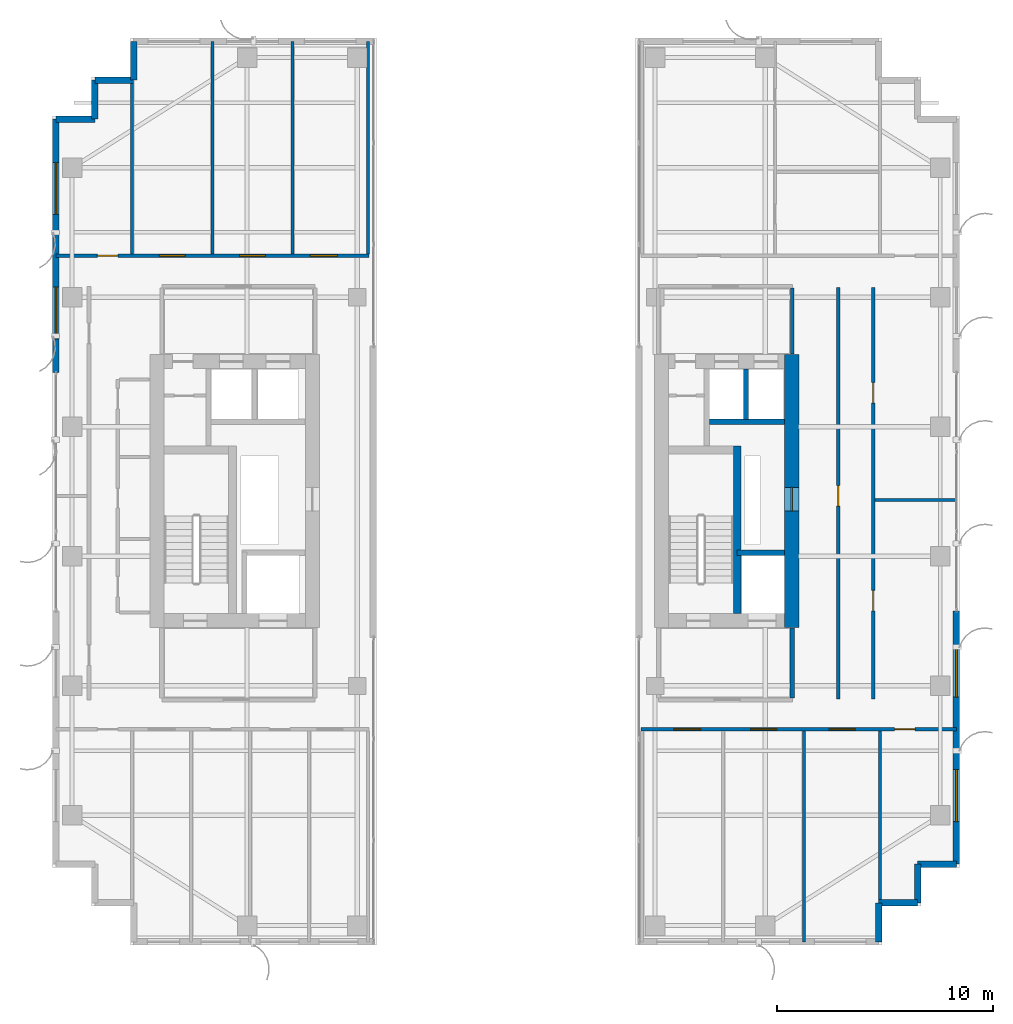
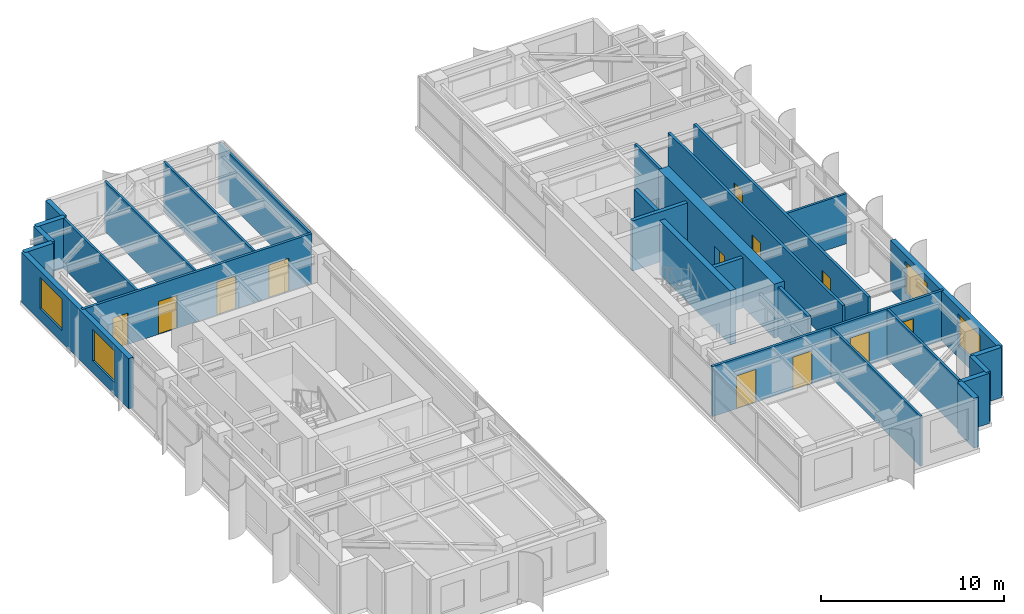
# One storey, part 18 of 22: 28 walls, 12 doors, 4 windows, 16 openings.
"""IFC4 building model written with IfcOpenShell, lengths in metres."""

from ifc_helpers import new_model, si_unit, direction, frame, frame_2d, origin, place, context, subcontext, project, spatial, rectangle, extrude, source, transform, mapped, material, layer, layer_set, type_object, element, fill, save


model = new_model("IFC4")

# Units and contexts
model_context = context("Model", 3, precision=1e-05, world=origin(), true_north=direction((0.0, 1.0)))
body_context = subcontext(model_context, "Body", "Model", "MODEL_VIEW")
ifc_project = project(units=[si_unit("LENGTHUNIT", "METRE"), si_unit("AREAUNIT", "SQUARE_METRE"), si_unit("VOLUMEUNIT", "CUBIC_METRE"), si_unit("PLANEANGLEUNIT", "RADIAN"), si_unit("MASSUNIT", "GRAM", prefix="KILO")], contexts=[model_context])

# Site, building, storey
site_placement = place(None, origin())
site = spatial("IfcSite", under=ifc_project, at=site_placement, CompositionType="ELEMENT")
building_placement = place(site_placement, origin())
building = spatial("IfcBuilding", under=site, at=building_placement, Name="Khoralis Quay Care Tower", CompositionType="ELEMENT")
storey_placement = place(building_placement, frame((0.0, 0.0, 191.699951171875)))
storey = spatial("IfcBuildingStorey", under=building, at=storey_placement, Name="L50", CompositionType="ELEMENT", Elevation=191.699951171875)

# Wall
ifc_material_1 = material(Name="Gypsum plasterboard on acoustic metal stud")
ifc_layer_1 = layer(ifc_material_1, 0.199951171875)
ifc_layer_set_1 = layer_set([ifc_layer_1], Name="Gypsum plasterboard on acoustic metal stud")
wall_type_1 = type_object("IfcWallType", Name="WL-COMP-200", PredefinedType="PARTITIONING", material=ifc_layer_set_1)
wall_1_placement = place(storey_placement, frame((37.25, 11.445068359375, 0.0), z_axis=(0.0, 0.0, 1.0), x_axis=(0.0, 1.0, 0.0)))
element("IfcWall", 1, at=wall_1_placement, inside=storey, type_object=wall_type_1, Name="L50 East Firefighting Lobby East Wall", PredefinedType="PARTITIONING", context=body_context, shape_type="SweptSolid", body=[
    extrude(rectangle(XDim=3.23486328125, YDim=0.199951171875, at=frame_2d((1.617431640625, 0.0))), origin(), (0.0, 0.0, 1.0), 3.340087890625),
])

# Wall, opening, door
ifc_material_2 = material(Name="Concrete C65/80", Category="concrete")
ifc_layer_2 = layer(ifc_material_2, 0.64990234375)
ifc_layer_set_2 = layer_set([ifc_layer_2], Name="Concrete C65/80")
wall_type_2 = type_object("IfcWallType", Name="WL-CORE-650", PredefinedType="SHEAR", material=ifc_layer_set_2)
wall_2_placement = place(storey_placement, frame((37.22509765625, 14.699951171875, 0.0), z_axis=(0.0, 0.0, 1.0), x_axis=(0.0, 1.0, 0.0)))
wall_2 = element("IfcWall", 2, at=wall_2_placement, inside=storey, type_object=wall_type_2, Name="L50 ECORE East Shear Wall", PredefinedType="SHEAR", context=body_context, shape_type="SweptSolid", body=[
    extrude(rectangle(XDim=12.650146484375, YDim=0.64990234375, at=frame_2d((6.3251953125, 0.0))), origin(), (0.0, 0.0, 1.0), 3.60009765625),
])
opening_1_placement = place(wall_2_placement, frame((5.39990234375, 0.0, 0.0)))
opening_1 = element("IfcOpeningElement", 3, at=opening_1_placement, cuts=wall_2, Name="Opening SD1", PredefinedType="OPENING", context=body_context, shape_type="SweptSolid", body=[
    extrude(rectangle(XDim=1.10009765625, YDim=2.199951171875, at=frame_2d((0.550048828125, 1.10009765625))), frame((0.0, 0.3349609375, 0.0), z_axis=(0.0, -1.0, 0.0), x_axis=(1.0, 0.0, 0.0)), (0.0, 0.0, 1.0), 0.669921875),
])
ifc_material_3 = material(Name="Fire-rated painted steel", Category="steel")
door_type_1 = type_object("IfcDoorType", Name="DR-STAIR-1100X2200", OperationType="NOTDEFINED", PredefinedType="DOOR", material=ifc_material_3)
shared_shape_1 = source(origin(), body_context, "Body", "SweptSolid", [
    extrude(rectangle(XDim=1.10009765625, YDim=2.199951171875, at=frame_2d((0.550048828125, 1.10009765625))), frame((0.0, 0.02490234375, 0.0), z_axis=(0.0, -1.0, 0.0), x_axis=(1.0, 0.0, 0.0)), (0.0, 0.0, 1.0), 0.050048828125),
])
door_1_placement = place(opening_1_placement, frame((1.10009765625, 0.0, 0.0), z_axis=(0.0, 0.0, 1.0), x_axis=(-1.0, 0.0, 0.0)))
door_1 = element("IfcDoor", 4, at=door_1_placement, inside=storey, type_object=door_type_1, Name="L50 East MEP Riser Door", OperationType="SINGLE_SWING_LEFT", OverallHeight=2.199951171875, OverallWidth=1.10009765625, PredefinedType="DOOR", context=body_context, shape_type="MappedRepresentation", body=[
    mapped(shared_shape_1, transform((0.0, 0.0, 0.0), scale=1.0)),
])
fill(opening_1, door_1)

# Wall
ifc_layer_3 = layer(ifc_material_1, 0.1650390625)
ifc_layer_set_3 = layer_set([ifc_layer_3], Name="Gypsum plasterboard on acoustic metal stud")
wall_type_3 = type_object("IfcWallType", Name="WL-CORR-165", PredefinedType="PARTITIONING", material=ifc_layer_set_3)
wall_3_placement = place(storey_placement, frame((37.25, 27.3701171875, 0.0), z_axis=(0.0, 0.0, 1.0), x_axis=(0.0, 1.0, 0.0)))
element("IfcWall", 5, at=wall_3_placement, inside=storey, type_object=wall_type_3, Name="L50 East Lift Lobby East Wall", PredefinedType="PARTITIONING", context=body_context, shape_type="SweptSolid", body=[
    extrude(rectangle(XDim=3.052490234375, YDim=0.1650390625, at=frame_2d((1.5263671875, 0.0))), origin(), (0.0, 0.0, 1.0), 3.340087890625),
])

# Wall, openings, doors
wall_4_placement = place(storey_placement, frame((3.14501953125, 31.919921875, 0.0), z_axis=(0.0, 0.0, 1.0), x_axis=(1.0, 0.0, 0.0)))
wall_4 = element("IfcWall", 6, at=wall_4_placement, inside=storey, type_object=wall_type_3, Name="L50 West Wing North Corridor Wall", PredefinedType="PARTITIONING", context=body_context, shape_type="SweptSolid", body=[
    extrude(rectangle(XDim=14.5048828125, YDim=0.1650390625, at=frame_2d((7.25244140625, 0.0))), origin(), (0.0, 0.0, 1.0), 3.340087890625),
])
opening_2_placement = place(wall_4_placement, frame((4.7900390625, 0.0, 0.0)))
opening_2 = element("IfcOpeningElement", 7, at=opening_2_placement, cuts=wall_4, Name="Opening FD1", PredefinedType="OPENING", context=body_context, shape_type="SweptSolid", body=[
    extrude(rectangle(XDim=1.199951171875, YDim=2.199951171875, at=frame_2d((0.60009765625, 1.10009765625))), frame((0.0, 0.092529296875, 0.0), z_axis=(0.0, -1.0, 0.0), x_axis=(1.0, 0.0, 0.0)), (0.0, 0.0, 1.0), 0.18505859375),
])
opening_3_placement = place(wall_4_placement, frame((8.5048828125, 0.0, 0.0)))
opening_3 = element("IfcOpeningElement", 8, at=opening_3_placement, cuts=wall_4, Name="Opening FD1", PredefinedType="OPENING", context=body_context, shape_type="SweptSolid", body=[
    extrude(rectangle(XDim=1.199951171875, YDim=2.199951171875, at=frame_2d((0.60009765625, 1.10009765625))), frame((0.0, 0.092529296875, 0.0), z_axis=(0.0, -1.0, 0.0), x_axis=(1.0, 0.0, 0.0)), (0.0, 0.0, 1.0), 0.18505859375),
])
opening_4_placement = place(wall_4_placement, frame((11.784912109375, 0.0, 0.0)))
opening_4 = element("IfcOpeningElement", 9, at=opening_4_placement, cuts=wall_4, Name="Opening CD1", PredefinedType="OPENING", context=body_context, shape_type="SweptSolid", body=[
    extrude(rectangle(XDim=1.25, YDim=2.199951171875, at=frame_2d((0.625, 1.10009765625))), frame((0.0, 0.092529296875, 0.0), z_axis=(0.0, -1.0, 0.0), x_axis=(1.0, 0.0, 0.0)), (0.0, 0.0, 1.0), 0.18505859375),
])
opening_5_placement = place(wall_4_placement, frame((1.919921875, 0.0, 0.0)))
opening_5 = element("IfcOpeningElement", 10, at=opening_5_placement, cuts=wall_4, Name="Opening ID1", PredefinedType="OPENING", context=body_context, shape_type="SweptSolid", body=[
    extrude(rectangle(XDim=0.949951171875, YDim=2.10009765625, at=frame_2d((0.47509765625, 1.050048828125))), frame((0.0, 0.092529296875, 0.0), z_axis=(0.0, -1.0, 0.0), x_axis=(1.0, 0.0, 0.0)), (0.0, 0.0, 1.0), 0.18505859375),
])
door_type_2 = type_object("IfcDoorType", Name="DR-FFL-1200X2200", OperationType="NOTDEFINED", PredefinedType="DOOR", material=ifc_material_3)
shared_shape_2 = source(origin(), body_context, "Body", "SweptSolid", [
    extrude(rectangle(XDim=1.199951171875, YDim=2.199951171875, at=frame_2d((0.60009765625, 1.10009765625))), frame((0.0, 0.02490234375, 0.0), z_axis=(0.0, -1.0, 0.0), x_axis=(1.0, 0.0, 0.0)), (0.0, 0.0, 1.0), 0.050048828125),
])
door_2_placement = place(opening_2_placement, origin())
door_2 = element("IfcDoor", 11, at=door_2_placement, inside=storey, type_object=door_type_2, Name="L50 Resident Communal Day Lounge Door", OperationType="DOUBLE_DOOR_SINGLE_SWING", OverallHeight=2.199951171875, OverallWidth=1.199951171875, PredefinedType="DOOR", context=body_context, shape_type="MappedRepresentation", body=[
    mapped(shared_shape_2, transform((0.0, 0.0, 0.0), scale=1.0)),
])
fill(opening_2, door_2)
door_3_placement = place(opening_3_placement, origin())
door_3 = element("IfcDoor", 12, at=door_3_placement, inside=storey, type_object=door_type_2, Name="L50 Resident Communal Day Lounge Door", OperationType="DOUBLE_DOOR_SINGLE_SWING", OverallHeight=2.199951171875, OverallWidth=1.199951171875, PredefinedType="DOOR", context=body_context, shape_type="MappedRepresentation", body=[
    mapped(shared_shape_2, transform((0.0, 0.0, 0.0), scale=1.0)),
])
fill(opening_3, door_3)
ifc_material_4 = material(Name="Acoustic hardwood timber", Category="wood")
door_type_3 = type_object("IfcDoorType", Name="DR-CARE-1250X2200", OperationType="NOTDEFINED", PredefinedType="DOOR", material=ifc_material_4)
shared_shape_3 = source(origin(), body_context, "Body", "SweptSolid", [
    extrude(rectangle(XDim=1.25, YDim=2.199951171875, at=frame_2d((0.625, 1.10009765625))), frame((0.0, 0.02490234375, 0.0), z_axis=(0.0, -1.0, 0.0), x_axis=(1.0, 0.0, 0.0)), (0.0, 0.0, 1.0), 0.050048828125),
])
door_4_placement = place(opening_4_placement, origin())
door_4 = element("IfcDoor", 13, at=door_4_placement, inside=storey, type_object=door_type_3, Name="L50 Physiotherapy Treatment Clinic Door", OperationType="SINGLE_SWING_LEFT", OverallHeight=2.199951171875, OverallWidth=1.25, PredefinedType="DOOR", context=body_context, shape_type="MappedRepresentation", body=[
    mapped(shared_shape_3, transform((0.0, 0.0, 0.0), scale=1.0)),
])
fill(opening_4, door_4)
door_type_4 = type_object("IfcDoorType", Name="DR-ROOM-950X2100", OperationType="NOTDEFINED", PredefinedType="DOOR", material=ifc_material_4)
shared_shape_4 = source(origin(), body_context, "Body", "SweptSolid", [
    extrude(rectangle(XDim=0.949951171875, YDim=2.10009765625, at=frame_2d((0.47509765625, 1.050048828125))), frame((0.0, 0.02490234375, 0.0), z_axis=(0.0, -1.0, 0.0), x_axis=(1.0, 0.0, 0.0)), (0.0, 0.0, 1.0), 0.050048828125),
])
door_5_placement = place(opening_5_placement, origin())
door_5 = element("IfcDoor", 14, at=door_5_placement, inside=storey, type_object=door_type_4, Name="L50 NW Corner Door", OperationType="SINGLE_SWING_RIGHT", OverallHeight=2.10009765625, OverallWidth=0.949951171875, PredefinedType="DOOR", context=body_context, shape_type="MappedRepresentation", body=[
    mapped(shared_shape_4, transform((0.0, 0.0, 0.0), scale=1.0)),
])
fill(opening_5, door_5)

wall_5_placement = place(storey_placement, frame((30.25, 9.989990234375, 0.0), z_axis=(0.0, 0.0, 1.0), x_axis=(1.0, 0.0, 0.0)))
wall_5 = element("IfcWall", 15, at=wall_5_placement, inside=storey, type_object=wall_type_3, Name="L50 East Wing South Corridor Wall", PredefinedType="PARTITIONING", context=body_context, shape_type="SweptSolid", body=[
    extrude(rectangle(XDim=14.60498046875, YDim=0.1650390625, at=frame_2d((7.302490234375, 0.0))), origin(), (0.0, 0.0, 1.0), 3.340087890625),
])
opening_6_placement = place(wall_5_placement, frame((1.5, 0.0, 0.0)))
opening_6 = element("IfcOpeningElement", 16, at=opening_6_placement, cuts=wall_5, Name="Opening CD1", PredefinedType="OPENING", context=body_context, shape_type="SweptSolid", body=[
    extrude(rectangle(XDim=1.25, YDim=2.199951171875, at=frame_2d((0.625, 1.10009765625))), frame((0.0, 0.092529296875, 0.0), z_axis=(0.0, -1.0, 0.0), x_axis=(1.0, 0.0, 0.0)), (0.0, 0.0, 1.0), 0.18505859375),
])
opening_7_placement = place(wall_5_placement, frame((5.070068359375, 0.0, 0.0)))
opening_7 = element("IfcOpeningElement", 17, at=opening_7_placement, cuts=wall_5, Name="Opening FD1", PredefinedType="OPENING", context=body_context, shape_type="SweptSolid", body=[
    extrude(rectangle(XDim=1.199951171875, YDim=2.199951171875, at=frame_2d((0.60009765625, 1.10009765625))), frame((0.0, 0.092529296875, 0.0), z_axis=(0.0, -1.0, 0.0), x_axis=(1.0, 0.0, 0.0)), (0.0, 0.0, 1.0), 0.18505859375),
])
opening_8_placement = place(wall_5_placement, frame((8.705078125, 0.0, 0.0)))
opening_8 = element("IfcOpeningElement", 18, at=opening_8_placement, cuts=wall_5, Name="Opening FD1", PredefinedType="OPENING", context=body_context, shape_type="SweptSolid", body=[
    extrude(rectangle(XDim=1.199951171875, YDim=2.199951171875, at=frame_2d((0.60009765625, 1.10009765625))), frame((0.0, 0.092529296875, 0.0), z_axis=(0.0, -1.0, 0.0), x_axis=(1.0, 0.0, 0.0)), (0.0, 0.0, 1.0), 0.18505859375),
])
opening_9_placement = place(wall_5_placement, frame((11.735107421875, 0.0, 0.0)))
opening_9 = element("IfcOpeningElement", 19, at=opening_9_placement, cuts=wall_5, Name="Opening ID1", PredefinedType="OPENING", context=body_context, shape_type="SweptSolid", body=[
    extrude(rectangle(XDim=0.949951171875, YDim=2.10009765625, at=frame_2d((0.47509765625, 1.050048828125))), frame((0.0, 0.092529296875, 0.0), z_axis=(0.0, -1.0, 0.0), x_axis=(1.0, 0.0, 0.0)), (0.0, 0.0, 1.0), 0.18505859375),
])
door_6_placement = place(opening_7_placement, frame((1.199951171875, 0.0, 0.0), z_axis=(0.0, 0.0, 1.0), x_axis=(-1.0, 0.0, 0.0)))
door_6 = element("IfcDoor", 20, at=door_6_placement, inside=storey, type_object=door_type_2, Name="L50 Assisted Communal Dining Room Door", OperationType="DOUBLE_DOOR_SINGLE_SWING", OverallHeight=2.199951171875, OverallWidth=1.199951171875, PredefinedType="DOOR", context=body_context, shape_type="MappedRepresentation", body=[
    mapped(shared_shape_2, transform((0.0, 0.0, 0.0), scale=1.0)),
])
fill(opening_7, door_6)
door_7_placement = place(opening_8_placement, frame((1.199951171875, 0.0, 0.0), z_axis=(0.0, 0.0, 1.0), x_axis=(-1.0, 0.0, 0.0)))
door_7 = element("IfcDoor", 21, at=door_7_placement, inside=storey, type_object=door_type_2, Name="L50 Resident Communal Day Lounge Door", OperationType="DOUBLE_DOOR_SINGLE_SWING", OverallHeight=2.199951171875, OverallWidth=1.199951171875, PredefinedType="DOOR", context=body_context, shape_type="MappedRepresentation", body=[
    mapped(shared_shape_2, transform((0.0, 0.0, 0.0), scale=1.0)),
])
fill(opening_8, door_7)
door_8_placement = place(opening_6_placement, frame((1.25, 0.0, 0.0), z_axis=(0.0, 0.0, 1.0), x_axis=(-1.0, 0.0, 0.0)))
door_8 = element("IfcDoor", 22, at=door_8_placement, inside=storey, type_object=door_type_3, Name="L50 Geriatric Consultation Clinic Door", OperationType="SINGLE_SWING_LEFT", OverallHeight=2.199951171875, OverallWidth=1.25, PredefinedType="DOOR", context=body_context, shape_type="MappedRepresentation", body=[
    mapped(shared_shape_3, transform((0.0, 0.0, 0.0), scale=1.0)),
])
fill(opening_6, door_8)
door_9_placement = place(opening_9_placement, frame((0.949951171875, 0.0, 0.0), z_axis=(0.0, 0.0, 1.0), x_axis=(-1.0, 0.0, 0.0)))
door_9 = element("IfcDoor", 23, at=door_9_placement, inside=storey, type_object=door_type_4, Name="L50 SE Corner Door", OperationType="SINGLE_SWING_RIGHT", OverallHeight=2.10009765625, OverallWidth=0.949951171875, PredefinedType="DOOR", context=body_context, shape_type="MappedRepresentation", body=[
    mapped(shared_shape_4, transform((0.0, 0.0, 0.0), scale=1.0)),
])
fill(opening_9, door_9)

wall_6_placement = place(storey_placement, frame((41.0, 11.39990234375, 0.0), z_axis=(0.0, 0.0, 1.0), x_axis=(0.0, 1.0, 0.0)))
wall_6 = element("IfcWall", 24, at=wall_6_placement, inside=storey, type_object=wall_type_3, Name="L50 East Gallery Wall", PredefinedType="PARTITIONING", context=body_context, shape_type="SweptSolid", body=[
    extrude(rectangle(XDim=19.050048828125, YDim=0.1650390625, at=frame_2d((9.52490234375, 0.0))), origin(), (0.0, 0.0, 1.0), 3.340087890625),
])
opening_10_placement = place(wall_6_placement, frame((4.074951171875, 0.0, 0.0)))
opening_10 = element("IfcOpeningElement", 25, at=opening_10_placement, cuts=wall_6, Name="Opening ID1", PredefinedType="OPENING", context=body_context, shape_type="SweptSolid", body=[
    extrude(rectangle(XDim=0.949951171875, YDim=2.10009765625, at=frame_2d((0.47509765625, 1.050048828125))), frame((0.0, 0.092529296875, 0.0), z_axis=(0.0, -1.0, 0.0), x_axis=(1.0, 0.0, 0.0)), (0.0, 0.0, 1.0), 0.18505859375),
])
opening_11_placement = place(wall_6_placement, frame((13.699951171875, 0.0, 0.0)))
opening_11 = element("IfcOpeningElement", 26, at=opening_11_placement, cuts=wall_6, Name="Opening ID1", PredefinedType="OPENING", context=body_context, shape_type="SweptSolid", body=[
    extrude(rectangle(XDim=0.949951171875, YDim=2.10009765625, at=frame_2d((0.47509765625, 1.050048828125))), frame((0.0, 0.092529296875, 0.0), z_axis=(0.0, -1.0, 0.0), x_axis=(1.0, 0.0, 0.0)), (0.0, 0.0, 1.0), 0.18505859375),
])
door_10_placement = place(opening_10_placement, origin())
door_10 = element("IfcDoor", 27, at=door_10_placement, inside=storey, type_object=door_type_4, Name="L50 East Waterfront Rehab Clinic Door", OperationType="SINGLE_SWING_LEFT", OverallHeight=2.10009765625, OverallWidth=0.949951171875, PredefinedType="DOOR", context=body_context, shape_type="MappedRepresentation", body=[
    mapped(shared_shape_4, transform((0.0, 0.0, 0.0), scale=1.0)),
])
fill(opening_10, door_10)
door_11_placement = place(opening_11_placement, origin())
door_11 = element("IfcDoor", 28, at=door_11_placement, inside=storey, type_object=door_type_4, Name="L50 East Bay Communal Dining Room Door", OperationType="SINGLE_SWING_RIGHT", OverallHeight=2.10009765625, OverallWidth=0.949951171875, PredefinedType="DOOR", context=body_context, shape_type="MappedRepresentation", body=[
    mapped(shared_shape_4, transform((0.0, 0.0, 0.0), scale=1.0)),
])
fill(opening_11, door_11)

# Wall, opening, door
wall_7_placement = place(storey_placement, frame((39.3798828125, 11.39990234375, 0.0), z_axis=(0.0, 0.0, 1.0), x_axis=(0.0, 1.0, 0.0)))
wall_7 = element("IfcWall", 29, at=wall_7_placement, inside=storey, type_object=wall_type_3, Name="L50 East Inner Clinic Wall", PredefinedType="PARTITIONING", context=body_context, shape_type="SweptSolid", body=[
    extrude(rectangle(XDim=19.050048828125, YDim=0.1650390625, at=frame_2d((9.52490234375, 0.0))), origin(), (0.0, 0.0, 1.0), 3.340087890625),
])
opening_12_placement = place(wall_7_placement, frame((8.925048828125, 0.0, 0.0)))
opening_12 = element("IfcOpeningElement", 30, at=opening_12_placement, cuts=wall_7, Name="Opening ID1", PredefinedType="OPENING", context=body_context, shape_type="SweptSolid", body=[
    extrude(rectangle(XDim=0.949951171875, YDim=2.10009765625, at=frame_2d((0.47509765625, 1.050048828125))), frame((0.0, 0.092529296875, 0.0), z_axis=(0.0, -1.0, 0.0), x_axis=(1.0, 0.0, 0.0)), (0.0, 0.0, 1.0), 0.18505859375),
])
door_12_placement = place(opening_12_placement, frame((0.949951171875, 0.0, 0.0), z_axis=(0.0, 0.0, 1.0), x_axis=(-1.0, 0.0, 0.0)))
door_12 = element("IfcDoor", 31, at=door_12_placement, inside=storey, type_object=door_type_4, Name="L50 East Rehab Therapy Door", OperationType="SINGLE_SWING_LEFT", OverallHeight=2.10009765625, OverallWidth=0.949951171875, PredefinedType="DOOR", context=body_context, shape_type="MappedRepresentation", body=[
    mapped(shared_shape_4, transform((0.0, 0.0, 0.0), scale=1.0)),
])
fill(opening_12, door_12)

# Walls
ifc_material_5 = material(Name="Precast concrete C45/55", Category="concrete")
ifc_layer_4 = layer(ifc_material_5, 0.300048828125)
ifc_layer_set_4 = layer_set([ifc_layer_4], Name="Precast concrete C45/55")
wall_type_4 = type_object("IfcWallType", Name="WL-EXT-REF-300", PredefinedType="SOLIDWALL", material=ifc_layer_set_4)
for number, where, z_axis, x_axis, name in (
    (32, (6.75, 41.85009765625, 0.0), (0.0, 0.0, 1.0), (0.0, -1.0, 0.0), "L50 External Facade Wall WL-EXT-L50-P1-C3"),
    (33, (6.75, 40.050048828125, 0.0), (0.0, 0.0, 1.0), (-1.0, 0.0, 0.0), "L50 External Facade Wall WL-EXT-L50-P1-C4"),
    (34, (4.949951171875, 40.050048828125, 0.0), (0.0, 0.0, 1.0), (0.0, -1.0, 0.0), "L50 External Facade Wall WL-EXT-L50-P1-C5"),
    (35, (4.949951171875, 38.25, 0.0), (0.0, 0.0, 1.0), (-1.0, 0.0, 0.0), "L50 External Facade Wall WL-EXT-L50-P1-C6"),
):
    element("IfcWall", number, at=place(storey_placement, frame(where, z_axis=z_axis, x_axis=x_axis)), inside=storey, type_object=wall_type_4, Name=name, PredefinedType="SOLIDWALL", context=body_context, shape_type="SweptSolid", body=[
        extrude(rectangle(XDim=1.800048828125, YDim=0.300048828125, at=frame_2d((0.89990234375, 0.0))), origin(), (0.0, 0.0, 1.0), 3.340087890625),
    ])

# Wall, openings, windows
wall_8_placement = place(storey_placement, frame((3.14990234375, 38.25, 0.0), z_axis=(0.0, 0.0, 1.0), x_axis=(0.0, -1.0, 0.0)))
wall_8 = element("IfcWall", 36, at=wall_8_placement, inside=storey, type_object=wall_type_4, Name="L50 External Facade Wall WL-EXT-L50-P1-E7A", PredefinedType="SOLIDWALL", context=body_context, shape_type="SweptSolid", body=[
    extrude(rectangle(XDim=11.72998046875, YDim=0.300048828125, at=frame_2d((5.864990234375, 0.0))), origin(), (0.0, 0.0, 1.0), 3.340087890625),
])
opening_13_placement = place(wall_8_placement, frame((2.014892578125, 0.0, 0.800048828125)))
opening_13 = element("IfcOpeningElement", 37, at=opening_13_placement, cuts=wall_8, Name="Opening W1", PredefinedType="OPENING", context=body_context, shape_type="SweptSolid", body=[
    extrude(rectangle(XDim=2.39990234375, YDim=2.10009765625, at=frame_2d((1.199951171875, 1.050048828125))), frame((0.0, 0.16015625, 0.0), z_axis=(0.0, -1.0, 0.0), x_axis=(1.0, 0.0, 0.0)), (0.0, 0.0, 1.0), 0.320068359375),
])
opening_14_placement = place(wall_8_placement, frame((7.780029296875, 0.0, 0.800048828125)))
opening_14 = element("IfcOpeningElement", 38, at=opening_14_placement, cuts=wall_8, Name="Opening W1", PredefinedType="OPENING", context=body_context, shape_type="SweptSolid", body=[
    extrude(rectangle(XDim=2.39990234375, YDim=2.10009765625, at=frame_2d((1.199951171875, 1.050048828125))), frame((0.0, 0.16015625, 0.0), z_axis=(0.0, -1.0, 0.0), x_axis=(1.0, 0.0, 0.0)), (0.0, 0.0, 1.0), 0.320068359375),
])
ifc_material_6 = material(Name="Low-E solar-control double glazing", Category="glass")
window_type = type_object("IfcWindowType", Name="WN-POD-2400X2100", PartitioningType="SINGLE_PANEL", PredefinedType="WINDOW", material=ifc_material_6)
shared_shape_5 = source(origin(), body_context, "Body", "SweptSolid", [
    extrude(rectangle(XDim=2.39990234375, YDim=2.10009765625, at=frame_2d((1.199951171875, 1.050048828125))), frame((0.0, 0.030029296875, 0.0), z_axis=(0.0, -1.0, 0.0), x_axis=(1.0, 0.0, 0.0)), (0.0, 0.0, 1.0), 0.06005859375),
])
window_1_placement = place(opening_13_placement, origin())
window_1 = element("IfcWindow", 39, at=window_1_placement, inside=storey, type_object=window_type, Name="WN-L50-P1-E7A Facade Window 01", OverallHeight=2.10009765625, OverallWidth=2.39990234375, PartitioningType="SINGLE_PANEL", PredefinedType="WINDOW", context=body_context, shape_type="MappedRepresentation", body=[
    mapped(shared_shape_5, transform((0.0, 0.0, 0.0), scale=1.0)),
])
fill(opening_13, window_1)
window_2_placement = place(opening_14_placement, origin())
window_2 = element("IfcWindow", 40, at=window_2_placement, inside=storey, type_object=window_type, Name="WN-L50-P1-E7A Facade Window 02", OverallHeight=2.10009765625, OverallWidth=2.39990234375, PartitioningType="SINGLE_PANEL", PredefinedType="WINDOW", context=body_context, shape_type="MappedRepresentation", body=[
    mapped(shared_shape_5, transform((0.0, 0.0, 0.0), scale=1.0)),
])
fill(opening_14, window_2)

# Walls
for number, where, z_axis, x_axis, name in (
    (41, (41.25, 0.14990234375, 0.0), (0.0, 0.0, 1.0), (0.0, 1.0, 0.0), "L50 External Facade Wall WL-EXT-L50-P2-C1"),
    (42, (41.25, 1.949951171875, 0.0), (0.0, 0.0, 1.0), (1.0, 0.0, 0.0), "L50 External Facade Wall WL-EXT-L50-P2-C2"),
    (43, (43.050048828125, 1.949951171875, 0.0), (0.0, 0.0, 1.0), (0.0, 1.0, 0.0), "L50 External Facade Wall WL-EXT-L50-P2-C3"),
    (44, (43.050048828125, 3.75, 0.0), (0.0, 0.0, 1.0), (1.0, 0.0, 0.0), "L50 External Facade Wall WL-EXT-L50-P2-C4"),
):
    element("IfcWall", number, at=place(storey_placement, frame(where, z_axis=z_axis, x_axis=x_axis)), inside=storey, type_object=wall_type_4, Name=name, PredefinedType="SOLIDWALL", context=body_context, shape_type="SweptSolid", body=[
        extrude(rectangle(XDim=1.800048828125, YDim=0.300048828125, at=frame_2d((0.89990234375, 0.0))), origin(), (0.0, 0.0, 1.0), 3.340087890625),
    ])

# Wall, openings, windows
wall_9_placement = place(storey_placement, frame((44.85009765625, 3.75, 0.0), z_axis=(0.0, 0.0, 1.0), x_axis=(0.0, 1.0, 0.0)))
wall_9 = element("IfcWall", 45, at=wall_9_placement, inside=storey, type_object=wall_type_4, Name="L50 External Facade Wall WL-EXT-L50-P2-E5A", PredefinedType="SOLIDWALL", context=body_context, shape_type="SweptSolid", body=[
    extrude(rectangle(XDim=11.72998046875, YDim=0.300048828125, at=frame_2d((5.864990234375, 0.0))), origin(), (0.0, 0.0, 1.0), 3.340087890625),
])
opening_15_placement = place(wall_9_placement, frame((1.969970703125, 0.0, 0.800048828125)))
opening_15 = element("IfcOpeningElement", 46, at=opening_15_placement, cuts=wall_9, Name="Opening W1", PredefinedType="OPENING", context=body_context, shape_type="SweptSolid", body=[
    extrude(rectangle(XDim=2.39990234375, YDim=2.10009765625, at=frame_2d((1.199951171875, 1.050048828125))), frame((0.0, 0.16015625, 0.0), z_axis=(0.0, -1.0, 0.0), x_axis=(1.0, 0.0, 0.0)), (0.0, 0.0, 1.0), 0.320068359375),
])
opening_16_placement = place(wall_9_placement, frame((7.735107421875, 0.0, 0.800048828125)))
opening_16 = element("IfcOpeningElement", 47, at=opening_16_placement, cuts=wall_9, Name="Opening W1", PredefinedType="OPENING", context=body_context, shape_type="SweptSolid", body=[
    extrude(rectangle(XDim=2.39990234375, YDim=2.10009765625, at=frame_2d((1.199951171875, 1.050048828125))), frame((0.0, 0.16015625, 0.0), z_axis=(0.0, -1.0, 0.0), x_axis=(1.0, 0.0, 0.0)), (0.0, 0.0, 1.0), 0.320068359375),
])
window_3_placement = place(opening_15_placement, origin())
window_3 = element("IfcWindow", 48, at=window_3_placement, inside=storey, type_object=window_type, Name="WN-L50-P2-E5A Facade Window 01", OverallHeight=2.10009765625, OverallWidth=2.39990234375, PartitioningType="SINGLE_PANEL", PredefinedType="WINDOW", context=body_context, shape_type="MappedRepresentation", body=[
    mapped(shared_shape_5, transform((0.0, 0.0, 0.0), scale=1.0)),
])
fill(opening_15, window_3)
window_4_placement = place(opening_16_placement, origin())
window_4 = element("IfcWindow", 49, at=window_4_placement, inside=storey, type_object=window_type, Name="WN-L50-P2-E5A Facade Window 02", OverallHeight=2.10009765625, OverallWidth=2.39990234375, PartitioningType="SINGLE_PANEL", PredefinedType="WINDOW", context=body_context, shape_type="MappedRepresentation", body=[
    mapped(shared_shape_5, transform((0.0, 0.0, 0.0), scale=1.0)),
])
fill(opening_16, window_4)

# Walls
ifc_material_7 = material(Name="Concrete C40/50", Category="concrete")
ifc_layer_5 = layer(ifc_material_7, 0.35009765625)
ifc_layer_set_5 = layer_set([ifc_layer_5], Name="Concrete C40/50")
wall_type_5 = type_object("IfcWallType", Name="WL-SC-CORE-350", PredefinedType="SHEAR", material=ifc_layer_set_5)
wall_10_placement = place(storey_placement, frame((34.695068359375, 15.35009765625, 0.0), z_axis=(0.0, 0.0, 1.0), x_axis=(0.0, 1.0, 0.0)))
element("IfcWall", 50, at=wall_10_placement, inside=storey, type_object=wall_type_5, Name="L50 Stair ST-T2 Shear Baffle Wall East", PredefinedType="SHEAR", context=body_context, shape_type="SweptSolid", body=[
    extrude(rectangle(XDim=7.75, YDim=0.35009765625, at=frame_2d((3.875, 0.0))), origin(), (0.0, 0.0, 1.0), 3.60009765625),
])
ifc_layer_6 = layer(ifc_material_1, 0.239990234375)
ifc_layer_set_6 = layer_set([ifc_layer_6], Name="Gypsum plasterboard on acoustic metal stud")
wall_type_6 = type_object("IfcWallType", Name="WL-SHAFT-240", PredefinedType="PARTITIONING", material=ifc_layer_set_6)
wall_11_placement = place(storey_placement, frame((34.679931640625, 18.169921875, 0.0), z_axis=(0.0, 0.0, 1.0), x_axis=(1.0, 0.0, 0.0)))
element("IfcWall", 51, at=wall_11_placement, inside=storey, type_object=wall_type_6, Name="L50 FFL-2 Shaft Wall North", PredefinedType="PARTITIONING", context=body_context, shape_type="SweptSolid", body=[
    extrude(rectangle(XDim=2.199951171875, YDim=0.239990234375, at=frame_2d((1.10009765625, 0.0))), origin(), (0.0, 0.0, 1.0), 3.340087890625),
])
wall_12_placement = place(storey_placement, frame((33.405029296875, 24.22998046875, 0.0), z_axis=(0.0, 0.0, 1.0), x_axis=(1.0, 0.0, 0.0)))
element("IfcWall", 52, at=wall_12_placement, inside=storey, type_object=wall_type_6, Name="L50 Active Shaft South Wall East", PredefinedType="PARTITIONING", context=body_context, shape_type="SweptSolid", body=[
    extrude(rectangle(XDim=3.474853515625, YDim=0.239990234375, at=frame_2d((1.7373046875, 0.0))), origin(), (0.0, 0.0, 1.0), 3.340087890625),
])
wall_13_placement = place(storey_placement, frame((35.110107421875, 24.344970703125, 0.0), z_axis=(0.0, 0.0, 1.0), x_axis=(0.0, 1.0, 0.0)))
element("IfcWall", 53, at=wall_13_placement, inside=storey, type_object=wall_type_6, Name="L50 East Shaft Divider 2", PredefinedType="PARTITIONING", context=body_context, shape_type="SweptSolid", body=[
    extrude(rectangle(XDim=2.3349609375, YDim=0.239990234375, at=frame_2d((1.16748046875, 0.0))), origin(), (0.0, 0.0, 1.0), 3.340087890625),
])
ifc_layer_7 = layer(ifc_material_1, 0.139892578125)
ifc_layer_set_7 = layer_set([ifc_layer_7], Name="Gypsum plasterboard on acoustic metal stud")
wall_type_7 = type_object("IfcWallType", Name="WL-UNIT-140", PredefinedType="PARTITIONING", material=ifc_layer_set_7)
wall_14_placement = place(storey_placement, frame((41.077392578125, 20.60009765625, 0.0), z_axis=(0.0, 0.0, 1.0), x_axis=(1.0, 0.0, 0.0)))
element("IfcWall", 54, at=wall_14_placement, inside=storey, type_object=wall_type_7, Name="L50 East Mid Split", PredefinedType="PARTITIONING", context=body_context, shape_type="SweptSolid", body=[
    extrude(rectangle(XDim=3.777587890625, YDim=0.139892578125, at=frame_2d((1.888671875, 0.0))), origin(), (0.0, 0.0, 1.0), 3.340087890625),
])
wall_15_placement = place(storey_placement, frame((6.679931640625, 31.99755859375, 0.0), z_axis=(0.0, 0.0, 1.0), x_axis=(0.0, 1.0, 0.0)))
element("IfcWall", 55, at=wall_15_placement, inside=storey, type_object=wall_type_7, Name="L50 WN Demising Wall 0", PredefinedType="PARTITIONING", context=body_context, shape_type="SweptSolid", body=[
    extrude(rectangle(XDim=8.057373046875, YDim=0.139892578125, at=frame_2d((4.02880859375, 0.0))), origin(), (0.0, 0.0, 1.0), 3.340087890625),
])
for number, where, z_axis, x_axis, name in (
    (56, (10.389892578125, 31.99755859375, 0.0), (0.0, 0.0, 1.0), (0.0, 1.0, 0.0), "L50 WN Demising Wall 1"),
    (57, (14.110107421875, 31.99755859375, 0.0), (0.0, 0.0, 1.0), (0.0, 1.0, 0.0), "L50 WN Demising Wall 2"),
    (58, (17.60009765625, 31.99755859375, 0.0), (0.0, 0.0, 1.0), (0.0, 1.0, 0.0), "L50 WN Demising Wall 3"),
):
    element("IfcWall", number, at=place(storey_placement, frame(where, z_axis=z_axis, x_axis=x_axis)), inside=storey, type_object=wall_type_7, Name=name, PredefinedType="PARTITIONING", context=body_context, shape_type="SweptSolid", body=[
        extrude(rectangle(XDim=9.857421875, YDim=0.139892578125, at=frame_2d((4.9287109375, 0.0))), origin(), (0.0, 0.0, 1.0), 3.340087890625),
    ])
wall_16_placement = place(storey_placement, frame((37.7900390625, 0.14501953125, 0.0), z_axis=(0.0, 0.0, 1.0), x_axis=(0.0, 1.0, 0.0)))
element("IfcWall", 59, at=wall_16_placement, inside=storey, type_object=wall_type_7, Name="L50 ES Demising Wall 2", PredefinedType="PARTITIONING", context=body_context, shape_type="SweptSolid", body=[
    extrude(rectangle(XDim=9.767578125, YDim=0.139892578125, at=frame_2d((4.8837890625, 0.0))), origin(), (0.0, 0.0, 1.0), 3.340087890625),
])
wall_17_placement = place(storey_placement, frame((41.320068359375, 1.945068359375, 0.0), z_axis=(0.0, 0.0, 1.0), x_axis=(0.0, 1.0, 0.0)))
element("IfcWall", 60, at=wall_17_placement, inside=storey, type_object=wall_type_7, Name="L50 ES Demising Wall 3", PredefinedType="PARTITIONING", context=body_context, shape_type="SweptSolid", body=[
    extrude(rectangle(XDim=7.967529296875, YDim=0.139892578125, at=frame_2d((3.98388671875, 0.0))), origin(), (0.0, 0.0, 1.0), 3.340087890625),
])

save(model, "model.ifc")
